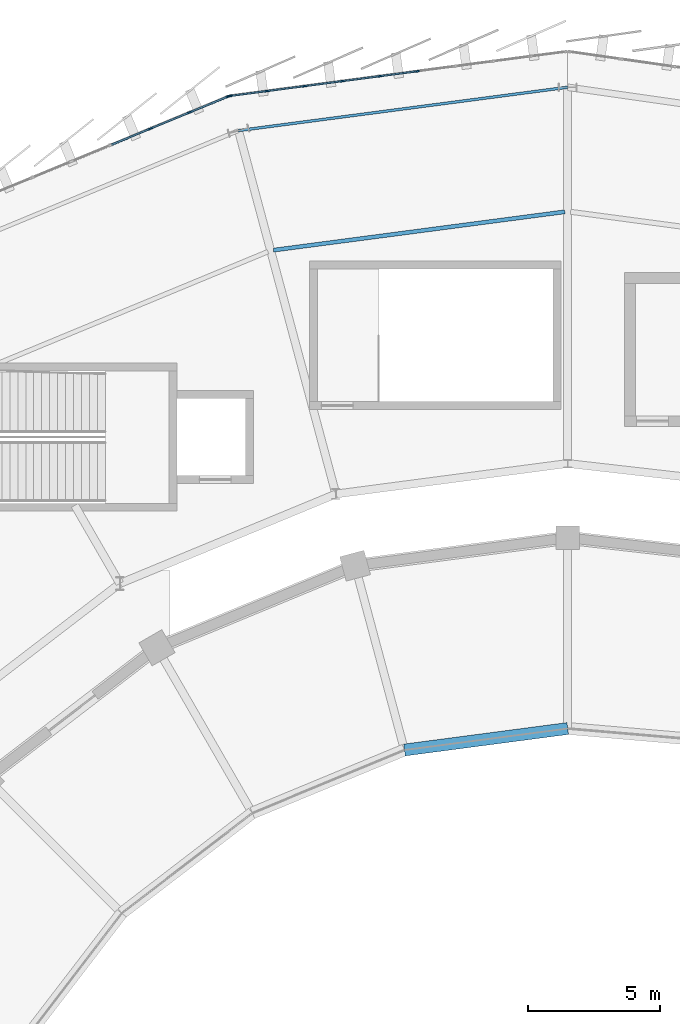
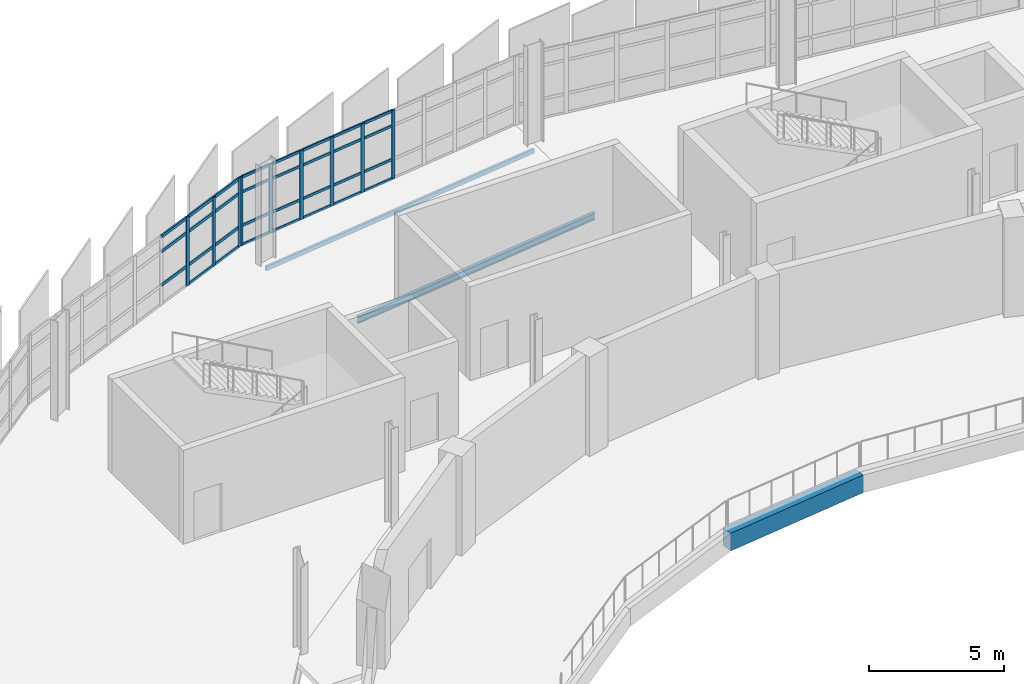
# One storey, part 32 of 87: 40 members, 3 beams, 2 elements without a shape of their own.
"""IFC4 building model written with IfcOpenShell, lengths in metres."""

from ifc_helpers import new_model, si_unit, direction, frame, origin, origin_2d, place, context, subcontext, project, spatial, rectangle, hollow_rectangle, i_section, extrude, material, layer, layer_set, material_profile, profile_set, type_object, element, aggregate, save


model = new_model("IFC4")

# Units and contexts
model_context = context("Model", 3, precision=1e-05, world=origin(), true_north=direction((0.0, 1.0)))
body_context = subcontext(model_context, "Body", "Model", "MODEL_VIEW")
ifc_project = project(units=[si_unit("LENGTHUNIT", "METRE"), si_unit("AREAUNIT", "SQUARE_METRE"), si_unit("VOLUMEUNIT", "CUBIC_METRE"), si_unit("PLANEANGLEUNIT", "RADIAN"), si_unit("MASSUNIT", "GRAM", prefix="KILO")], contexts=[model_context])

# Site, building, storey
site_placement = place(None, origin())
site = spatial("IfcSite", under=ifc_project, at=site_placement, CompositionType="ELEMENT")
building_placement = place(site_placement, origin())
building = spatial("IfcBuilding", under=site, at=building_placement, Name="Sohan Crest Arena", CompositionType="ELEMENT")
storey_placement = place(building_placement, frame((0.0, 0.0, 18.0)))
storey = spatial("IfcBuildingStorey", under=building, at=storey_placement, Name="L04", CompositionType="ELEMENT", Elevation=18.0)

# Curtain wall, members
ifc_material_1 = material(Name="Thermally broken anodised aluminium", Category="aluminium")
ifc_layer_1 = layer(ifc_material_1, 0.179931640625, Name="Thermally broken anodised aluminium")
ifc_layer_set_1 = layer_set([ifc_layer_1], Name="Thermally broken anodised aluminium")
curtain_wall_type_1 = type_object("IfcCurtainWallType", Name="ARC-CW01", PredefinedType="NOTDEFINED", material=ifc_layer_set_1)
curtain_wall_1_placement = place(storey_placement, origin())
curtain_wall_1 = element("IfcCurtainWall", 1, at=curtain_wall_1_placement, inside=storey, type_object=curtain_wall_type_1, Name="Unitised curtain wall CW-112", PredefinedType="NOTDEFINED")
ifc_material_profile_1 = material_profile(ifc_material_1, rectangle(XDim=0.06005859375, YDim=0.159912109375, at=origin_2d()), Name="ALU-MULL 60x160")
ifc_profile_set_1 = profile_set([ifc_material_profile_1], Name="Thermally broken anodised aluminium")
member_type_1 = type_object("IfcMemberType", Name="ARC-CW-ML01", PredefinedType="MULLION", material=ifc_profile_set_1)
member_1_placement = place(storey_placement, frame((92.322998046875, 126.6025390625, 0.0), z_axis=(0.0, 0.0, 1.0), x_axis=(0.130556913275, -0.991440816386, 0.0)))
member_1 = element("IfcMember", 2, at=member_1_placement, type_object=member_type_1, Name="CW-112 mullion 5", PredefinedType="MULLION", context=body_context, shape_type="SweptSolid", body=[
    extrude(rectangle(XDim=0.06005859375, YDim=0.159912109375, at=origin_2d()), origin(), (0.0, 0.0, 1.0), 3.1201171875),
])
member_2_placement = place(storey_placement, frame((90.90380859375, 126.41552734375, 0.0), z_axis=(0.0, 0.0, 1.0), x_axis=(0.130556913275, -0.991440816386, 0.0)))
member_2 = element("IfcMember", 3, at=member_2_placement, type_object=member_type_1, Name="CW-112 mullion 6", PredefinedType="MULLION", context=body_context, shape_type="SweptSolid", body=[
    extrude(rectangle(XDim=0.06005859375, YDim=0.159912109375, at=origin_2d()), origin(), (0.0, 0.0, 1.0), 3.1201171875),
])
member_3_placement = place(storey_placement, frame((89.484619140625, 126.228759765625, 0.0), z_axis=(0.0, 0.0, 1.0), x_axis=(0.130556913275, -0.991440816386, 0.0)))
member_3 = element("IfcMember", 4, at=member_3_placement, type_object=member_type_1, Name="CW-112 mullion 7", PredefinedType="MULLION", context=body_context, shape_type="SweptSolid", body=[
    extrude(rectangle(XDim=0.06005859375, YDim=0.159912109375, at=origin_2d()), origin(), (0.0, 0.0, 1.0), 3.1201171875),
])
member_4_placement = place(storey_placement, frame((88.0654296875, 126.041748046875, 0.0), z_axis=(0.0, 0.0, 1.0), x_axis=(0.130556913275, -0.991440816386, 0.0)))
member_4 = element("IfcMember", 5, at=member_4_placement, type_object=member_type_1, Name="CW-112 mullion 8", PredefinedType="MULLION", context=body_context, shape_type="SweptSolid", body=[
    extrude(rectangle(XDim=0.06005859375, YDim=0.159912109375, at=origin_2d()), origin(), (0.0, 0.0, 1.0), 3.1201171875),
])
member_5_placement = place(storey_placement, frame((86.646240234375, 125.85498046875, 0.0), z_axis=(0.0, 0.0, 1.0), x_axis=(0.130556913275, -0.991440816386, 0.0)))
member_5 = element("IfcMember", 6, at=member_5_placement, type_object=member_type_1, Name="CW-112 mullion 9", PredefinedType="MULLION", context=body_context, shape_type="SweptSolid", body=[
    extrude(rectangle(XDim=0.06005859375, YDim=0.159912109375, at=origin_2d()), origin(), (0.0, 0.0, 1.0), 3.1201171875),
])
member_6_placement = place(storey_placement, frame((85.2568359375, 125.671875, 0.0), z_axis=(0.0, 0.0, 1.0), x_axis=(0.130556913275, -0.991440816386, 0.0)))
member_6 = element("IfcMember", 7, at=member_6_placement, type_object=member_type_1, Name="CW-112 mullion 10", PredefinedType="MULLION", context=body_context, shape_type="SweptSolid", body=[
    extrude(rectangle(XDim=0.06005859375, YDim=0.159912109375, at=origin_2d()), origin(), (0.0, 0.0, 1.0), 3.1201171875),
])

ifc_layer_2 = layer(ifc_material_1, 0.199951171875, Name="Thermally broken anodised aluminium")
ifc_layer_set_2 = layer_set([ifc_layer_2], Name="Thermally broken anodised aluminium")
curtain_wall_type_2 = type_object("IfcCurtainWallType", Name="ARC-CW02", PredefinedType="NOTDEFINED", material=ifc_layer_set_2)
curtain_wall_2_placement = place(storey_placement, origin())
curtain_wall_2 = element("IfcCurtainWall", 8, at=curtain_wall_2_placement, inside=storey, type_object=curtain_wall_type_2, Name="Unitised curtain wall CW-113", PredefinedType="NOTDEFINED")
ifc_material_profile_2 = material_profile(ifc_material_1, rectangle(XDim=0.06494140625, YDim=0.179931640625, at=origin_2d()), Name="ALU-MULL 65x180")
ifc_profile_set_2 = profile_set([ifc_material_profile_2], Name="Thermally broken anodised aluminium")
member_type_2 = type_object("IfcMemberType", Name="ARC-CW-ML02", PredefinedType="MULLION", material=ifc_profile_set_2)
member_7_placement = place(storey_placement, frame((85.197021484375, 125.655517578125, 0.0), z_axis=(0.0, 0.0, 1.0), x_axis=(0.382685432009, -0.923878704229, 0.0)))
member_7 = element("IfcMember", 9, at=member_7_placement, type_object=member_type_2, Name="CW-113 mullion 1", PredefinedType="MULLION", context=body_context, shape_type="SweptSolid", body=[
    extrude(rectangle(XDim=0.06494140625, YDim=0.179931640625, at=origin_2d()), origin(), (0.0, 0.0, 1.0), 3.1201171875),
])
member_8_placement = place(storey_placement, frame((83.7392578125, 125.0517578125, 0.0), z_axis=(0.0, 0.0, 1.0), x_axis=(0.382685432009, -0.923878704229, 0.0)))
member_8 = element("IfcMember", 10, at=member_8_placement, type_object=member_type_2, Name="CW-113 mullion 2", PredefinedType="MULLION", context=body_context, shape_type="SweptSolid", body=[
    extrude(rectangle(XDim=0.06494140625, YDim=0.179931640625, at=origin_2d()), origin(), (0.0, 0.0, 1.0), 3.1201171875),
])
member_9_placement = place(storey_placement, frame((82.25146484375, 124.435546875, 0.0), z_axis=(0.0, 0.0, 1.0), x_axis=(0.382685432009, -0.923878704229, 0.0)))
member_9 = element("IfcMember", 11, at=member_9_placement, type_object=member_type_2, Name="CW-113 mullion 3", PredefinedType="MULLION", context=body_context, shape_type="SweptSolid", body=[
    extrude(rectangle(XDim=0.06494140625, YDim=0.179931640625, at=origin_2d()), origin(), (0.0, 0.0, 1.0), 3.1201171875),
])

# Member
ifc_material_profile_3 = material_profile(ifc_material_1, rectangle(XDim=0.06005859375, YDim=0.1201171875, at=origin_2d()), Name="ALU-TRAN 60x120")
ifc_profile_set_3 = profile_set([ifc_material_profile_3], Name="Thermally broken anodised aluminium")
member_type_3 = type_object("IfcMemberType", Name="ARC-CW-TR01", PredefinedType="USERDEFINED", material=ifc_profile_set_3)
member_10_placement = place(storey_placement, frame((92.29345703125, 126.5986328125, 0.030029296875), z_axis=(-0.991428831601, -0.13064789271, 0.0), x_axis=(0.13064789271, -0.991428831601, 0.0)))
member_10 = element("IfcMember", 12, at=member_10_placement, type_object=member_type_3, Name="CW-112 transom 5.1", ObjectType="TRANSOM", PredefinedType="USERDEFINED", context=body_context, shape_type="SweptSolid", body=[
    extrude(rectangle(XDim=0.06005859375, YDim=0.1201171875, at=origin_2d()), origin(), (0.0, 0.0, 1.0), 1.37158203125),
])

member_11_placement = place(storey_placement, frame((92.29345703125, 126.5986328125, 0.89990234375), z_axis=(-0.991428831601, -0.13064789271, 0.0), x_axis=(0.13064789271, -0.991428831601, 0.0)))
member_11 = element("IfcMember", 13, at=member_11_placement, type_object=member_type_3, Name="CW-112 transom 5.2", ObjectType="TRANSOM", PredefinedType="USERDEFINED", context=body_context, shape_type="SweptSolid", body=[
    extrude(rectangle(XDim=0.06005859375, YDim=0.1201171875, at=origin_2d()), origin(), (0.0, 0.0, 1.0), 1.37158203125),
])

member_12_placement = place(storey_placement, frame((92.29345703125, 126.5986328125, 2.419921875), z_axis=(-0.991428831601, -0.13064789271, 0.0), x_axis=(0.13064789271, -0.991428831601, 0.0)))
member_12 = element("IfcMember", 14, at=member_12_placement, type_object=member_type_3, Name="CW-112 transom 5.3", ObjectType="TRANSOM", PredefinedType="USERDEFINED", context=body_context, shape_type="SweptSolid", body=[
    extrude(rectangle(XDim=0.06005859375, YDim=0.1201171875, at=origin_2d()), origin(), (0.0, 0.0, 1.0), 1.37158203125),
])

member_13_placement = place(storey_placement, frame((92.29345703125, 126.5986328125, 3.090087890625), z_axis=(-0.991428831601, -0.13064789271, 0.0), x_axis=(0.13064789271, -0.991428831601, 0.0)))
member_13 = element("IfcMember", 15, at=member_13_placement, type_object=member_type_3, Name="CW-112 transom 5.4", ObjectType="TRANSOM", PredefinedType="USERDEFINED", context=body_context, shape_type="SweptSolid", body=[
    extrude(rectangle(XDim=0.06005859375, YDim=0.1201171875, at=origin_2d()), origin(), (0.0, 0.0, 1.0), 1.37158203125),
])

member_14_placement = place(storey_placement, frame((90.874267578125, 126.41162109375, 0.030029296875), z_axis=(-0.991451871974, -0.130472930369, 0.0), x_axis=(0.130472930369, -0.991451871974, 0.0)))
member_14 = element("IfcMember", 16, at=member_14_placement, type_object=member_type_3, Name="CW-112 transom 6.1", ObjectType="TRANSOM", PredefinedType="USERDEFINED", context=body_context, shape_type="SweptSolid", body=[
    extrude(rectangle(XDim=0.06005859375, YDim=0.1201171875, at=origin_2d()), origin(), (0.0, 0.0, 1.0), 1.37158203125),
])

member_15_placement = place(storey_placement, frame((90.874267578125, 126.41162109375, 0.89990234375), z_axis=(-0.991451871974, -0.130472930369, 0.0), x_axis=(0.130472930369, -0.991451871974, 0.0)))
member_15 = element("IfcMember", 17, at=member_15_placement, type_object=member_type_3, Name="CW-112 transom 6.2", ObjectType="TRANSOM", PredefinedType="USERDEFINED", context=body_context, shape_type="SweptSolid", body=[
    extrude(rectangle(XDim=0.06005859375, YDim=0.1201171875, at=origin_2d()), origin(), (0.0, 0.0, 1.0), 1.37158203125),
])

member_16_placement = place(storey_placement, frame((90.874267578125, 126.41162109375, 2.419921875), z_axis=(-0.991451871974, -0.130472930369, 0.0), x_axis=(0.130472930369, -0.991451871974, 0.0)))
member_16 = element("IfcMember", 18, at=member_16_placement, type_object=member_type_3, Name="CW-112 transom 6.3", ObjectType="TRANSOM", PredefinedType="USERDEFINED", context=body_context, shape_type="SweptSolid", body=[
    extrude(rectangle(XDim=0.06005859375, YDim=0.1201171875, at=origin_2d()), origin(), (0.0, 0.0, 1.0), 1.37158203125),
])

member_17_placement = place(storey_placement, frame((90.874267578125, 126.41162109375, 3.090087890625), z_axis=(-0.991451871974, -0.130472930369, 0.0), x_axis=(0.130472930369, -0.991451871974, 0.0)))
member_17 = element("IfcMember", 19, at=member_17_placement, type_object=member_type_3, Name="CW-112 transom 6.4", ObjectType="TRANSOM", PredefinedType="USERDEFINED", context=body_context, shape_type="SweptSolid", body=[
    extrude(rectangle(XDim=0.06005859375, YDim=0.1201171875, at=origin_2d()), origin(), (0.0, 0.0, 1.0), 1.37158203125),
])

member_18_placement = place(storey_placement, frame((89.454833984375, 126.224853515625, 0.030029296875), z_axis=(-0.991425792633, -0.130670952019, 0.0), x_axis=(0.130670952019, -0.991425792633, 0.0)))
member_18 = element("IfcMember", 20, at=member_18_placement, type_object=member_type_3, Name="CW-112 transom 7.1", ObjectType="TRANSOM", PredefinedType="USERDEFINED", context=body_context, shape_type="SweptSolid", body=[
    extrude(rectangle(XDim=0.06005859375, YDim=0.1201171875, at=origin_2d()), origin(), (0.0, 0.0, 1.0), 1.371337890625),
])

member_19_placement = place(storey_placement, frame((89.454833984375, 126.224853515625, 0.89990234375), z_axis=(-0.991425792633, -0.130670952019, 0.0), x_axis=(0.130670952019, -0.991425792633, 0.0)))
member_19 = element("IfcMember", 21, at=member_19_placement, type_object=member_type_3, Name="CW-112 transom 7.2", ObjectType="TRANSOM", PredefinedType="USERDEFINED", context=body_context, shape_type="SweptSolid", body=[
    extrude(rectangle(XDim=0.06005859375, YDim=0.1201171875, at=origin_2d()), origin(), (0.0, 0.0, 1.0), 1.371337890625),
])

member_20_placement = place(storey_placement, frame((89.454833984375, 126.224853515625, 2.419921875), z_axis=(-0.991425792633, -0.130670952019, 0.0), x_axis=(0.130670952019, -0.991425792633, 0.0)))
member_20 = element("IfcMember", 22, at=member_20_placement, type_object=member_type_3, Name="CW-112 transom 7.3", ObjectType="TRANSOM", PredefinedType="USERDEFINED", context=body_context, shape_type="SweptSolid", body=[
    extrude(rectangle(XDim=0.06005859375, YDim=0.1201171875, at=origin_2d()), origin(), (0.0, 0.0, 1.0), 1.371337890625),
])

member_21_placement = place(storey_placement, frame((89.454833984375, 126.224853515625, 3.090087890625), z_axis=(-0.991425792633, -0.130670952019, 0.0), x_axis=(0.130670952019, -0.991425792633, 0.0)))
member_21 = element("IfcMember", 23, at=member_21_placement, type_object=member_type_3, Name="CW-112 transom 7.4", ObjectType="TRANSOM", PredefinedType="USERDEFINED", context=body_context, shape_type="SweptSolid", body=[
    extrude(rectangle(XDim=0.06005859375, YDim=0.1201171875, at=origin_2d()), origin(), (0.0, 0.0, 1.0), 1.371337890625),
])

member_22_placement = place(storey_placement, frame((88.03564453125, 126.037841796875, 0.030029296875), z_axis=(-0.99144884107, -0.130495959868, 0.0), x_axis=(0.130495959868, -0.99144884107, 0.0)))
member_22 = element("IfcMember", 24, at=member_22_placement, type_object=member_type_3, Name="CW-112 transom 8.1", ObjectType="TRANSOM", PredefinedType="USERDEFINED", context=body_context, shape_type="SweptSolid", body=[
    extrude(rectangle(XDim=0.06005859375, YDim=0.1201171875, at=origin_2d()), origin(), (0.0, 0.0, 1.0), 1.371337890625),
])

member_23_placement = place(storey_placement, frame((88.03564453125, 126.037841796875, 0.89990234375), z_axis=(-0.99144884107, -0.130495959868, 0.0), x_axis=(0.130495959868, -0.99144884107, 0.0)))
member_23 = element("IfcMember", 25, at=member_23_placement, type_object=member_type_3, Name="CW-112 transom 8.2", ObjectType="TRANSOM", PredefinedType="USERDEFINED", context=body_context, shape_type="SweptSolid", body=[
    extrude(rectangle(XDim=0.06005859375, YDim=0.1201171875, at=origin_2d()), origin(), (0.0, 0.0, 1.0), 1.371337890625),
])

member_24_placement = place(storey_placement, frame((88.03564453125, 126.037841796875, 2.419921875), z_axis=(-0.99144884107, -0.130495959868, 0.0), x_axis=(0.130495959868, -0.99144884107, 0.0)))
member_24 = element("IfcMember", 26, at=member_24_placement, type_object=member_type_3, Name="CW-112 transom 8.3", ObjectType="TRANSOM", PredefinedType="USERDEFINED", context=body_context, shape_type="SweptSolid", body=[
    extrude(rectangle(XDim=0.06005859375, YDim=0.1201171875, at=origin_2d()), origin(), (0.0, 0.0, 1.0), 1.371337890625),
])

member_25_placement = place(storey_placement, frame((88.03564453125, 126.037841796875, 3.090087890625), z_axis=(-0.99144884107, -0.130495959868, 0.0), x_axis=(0.130495959868, -0.99144884107, 0.0)))
member_25 = element("IfcMember", 27, at=member_25_placement, type_object=member_type_3, Name="CW-112 transom 8.4", ObjectType="TRANSOM", PredefinedType="USERDEFINED", context=body_context, shape_type="SweptSolid", body=[
    extrude(rectangle(XDim=0.06005859375, YDim=0.1201171875, at=origin_2d()), origin(), (0.0, 0.0, 1.0), 1.371337890625),
])

member_26_placement = place(storey_placement, frame((86.616455078125, 125.85107421875, 0.030029296875), z_axis=(-0.991427020265, -0.130661637399, 0.0), x_axis=(0.130661637399, -0.991427020265, 0.0)))
member_26 = element("IfcMember", 28, at=member_26_placement, type_object=member_type_3, Name="CW-112 transom 9.1", ObjectType="TRANSOM", PredefinedType="USERDEFINED", context=body_context, shape_type="SweptSolid", body=[
    extrude(rectangle(XDim=0.06005859375, YDim=0.1201171875, at=origin_2d()), origin(), (0.0, 0.0, 1.0), 1.341552734375),
])

member_27_placement = place(storey_placement, frame((86.616455078125, 125.85107421875, 0.89990234375), z_axis=(-0.991427020265, -0.130661637399, 0.0), x_axis=(0.130661637399, -0.991427020265, 0.0)))
member_27 = element("IfcMember", 29, at=member_27_placement, type_object=member_type_3, Name="CW-112 transom 9.2", ObjectType="TRANSOM", PredefinedType="USERDEFINED", context=body_context, shape_type="SweptSolid", body=[
    extrude(rectangle(XDim=0.06005859375, YDim=0.1201171875, at=origin_2d()), origin(), (0.0, 0.0, 1.0), 1.341552734375),
])

member_28_placement = place(storey_placement, frame((86.616455078125, 125.85107421875, 2.419921875), z_axis=(-0.991427020265, -0.130661637399, 0.0), x_axis=(0.130661637399, -0.991427020265, 0.0)))
member_28 = element("IfcMember", 30, at=member_28_placement, type_object=member_type_3, Name="CW-112 transom 9.3", ObjectType="TRANSOM", PredefinedType="USERDEFINED", context=body_context, shape_type="SweptSolid", body=[
    extrude(rectangle(XDim=0.06005859375, YDim=0.1201171875, at=origin_2d()), origin(), (0.0, 0.0, 1.0), 1.341552734375),
])

member_29_placement = place(storey_placement, frame((86.616455078125, 125.85107421875, 3.090087890625), z_axis=(-0.991427020265, -0.130661637399, 0.0), x_axis=(0.130661637399, -0.991427020265, 0.0)))
member_29 = element("IfcMember", 31, at=member_29_placement, type_object=member_type_3, Name="CW-112 transom 9.4", ObjectType="TRANSOM", PredefinedType="USERDEFINED", context=body_context, shape_type="SweptSolid", body=[
    extrude(rectangle(XDim=0.06005859375, YDim=0.1201171875, at=origin_2d()), origin(), (0.0, 0.0, 1.0), 1.341552734375),
])

aggregate(curtain_wall_1, [member_1, member_2, member_3, member_4, member_5, member_6, member_10, member_11, member_12, member_13, member_14, member_15, member_16, member_17, member_18, member_19, member_20, member_21, member_22, member_23, member_24, member_25, member_26, member_27, member_28, member_29])

ifc_material_profile_4 = material_profile(ifc_material_1, rectangle(XDim=0.06494140625, YDim=0.139892578125, at=origin_2d()), Name="ALU-TRAN 65x140")
ifc_profile_set_4 = profile_set([ifc_material_profile_4], Name="Thermally broken anodised aluminium")
member_type_4 = type_object("IfcMemberType", Name="ARC-CW-TR02", PredefinedType="USERDEFINED", material=ifc_profile_set_4)
member_30_placement = place(storey_placement, frame((85.1669921875, 125.64306640625, 0.032470703125), z_axis=(-0.923900792868, -0.382632101291, 0.0), x_axis=(0.382632101291, -0.923900792868, 0.0)))
member_30 = element("IfcMember", 32, at=member_30_placement, type_object=member_type_4, Name="CW-113 transom 1.1", ObjectType="TRANSOM", PredefinedType="USERDEFINED", context=body_context, shape_type="SweptSolid", body=[
    extrude(rectangle(XDim=0.06494140625, YDim=0.139892578125, at=origin_2d()), origin(), (0.0, 0.0, 1.0), 1.512939453125),
])

member_31_placement = place(storey_placement, frame((85.1669921875, 125.64306640625, 0.89990234375), z_axis=(-0.923900792868, -0.382632101291, 0.0), x_axis=(0.382632101291, -0.923900792868, 0.0)))
member_31 = element("IfcMember", 33, at=member_31_placement, type_object=member_type_4, Name="CW-113 transom 1.2", ObjectType="TRANSOM", PredefinedType="USERDEFINED", context=body_context, shape_type="SweptSolid", body=[
    extrude(rectangle(XDim=0.06494140625, YDim=0.139892578125, at=origin_2d()), origin(), (0.0, 0.0, 1.0), 1.512939453125),
])

member_32_placement = place(storey_placement, frame((85.1669921875, 125.64306640625, 2.419921875), z_axis=(-0.923900792868, -0.382632101291, 0.0), x_axis=(0.382632101291, -0.923900792868, 0.0)))
member_32 = element("IfcMember", 34, at=member_32_placement, type_object=member_type_4, Name="CW-113 transom 1.3", ObjectType="TRANSOM", PredefinedType="USERDEFINED", context=body_context, shape_type="SweptSolid", body=[
    extrude(rectangle(XDim=0.06494140625, YDim=0.139892578125, at=origin_2d()), origin(), (0.0, 0.0, 1.0), 1.512939453125),
])

member_33_placement = place(storey_placement, frame((85.1669921875, 125.64306640625, 3.08740234375), z_axis=(-0.923900792868, -0.382632101291, 0.0), x_axis=(0.382632101291, -0.923900792868, 0.0)))
member_33 = element("IfcMember", 35, at=member_33_placement, type_object=member_type_4, Name="CW-113 transom 1.4", ObjectType="TRANSOM", PredefinedType="USERDEFINED", context=body_context, shape_type="SweptSolid", body=[
    extrude(rectangle(XDim=0.06494140625, YDim=0.139892578125, at=origin_2d()), origin(), (0.0, 0.0, 1.0), 1.512939453125),
])

member_34_placement = place(storey_placement, frame((83.709228515625, 125.039306640625, 0.032470703125), z_axis=(-0.923897456466, -0.382640157244, 0.0), x_axis=(0.382640157244, -0.923897456466, 0.0)))
member_34 = element("IfcMember", 36, at=member_34_placement, type_object=member_type_4, Name="CW-113 transom 2.1", ObjectType="TRANSOM", PredefinedType="USERDEFINED", context=body_context, shape_type="SweptSolid", body=[
    extrude(rectangle(XDim=0.06494140625, YDim=0.139892578125, at=origin_2d()), origin(), (0.0, 0.0, 1.0), 1.54541015625),
])

member_35_placement = place(storey_placement, frame((83.709228515625, 125.039306640625, 0.89990234375), z_axis=(-0.923897456466, -0.382640157244, 0.0), x_axis=(0.382640157244, -0.923897456466, 0.0)))
member_35 = element("IfcMember", 37, at=member_35_placement, type_object=member_type_4, Name="CW-113 transom 2.2", ObjectType="TRANSOM", PredefinedType="USERDEFINED", context=body_context, shape_type="SweptSolid", body=[
    extrude(rectangle(XDim=0.06494140625, YDim=0.139892578125, at=origin_2d()), origin(), (0.0, 0.0, 1.0), 1.54541015625),
])

member_36_placement = place(storey_placement, frame((83.709228515625, 125.039306640625, 2.419921875), z_axis=(-0.923897456466, -0.382640157244, 0.0), x_axis=(0.382640157244, -0.923897456466, 0.0)))
member_36 = element("IfcMember", 38, at=member_36_placement, type_object=member_type_4, Name="CW-113 transom 2.3", ObjectType="TRANSOM", PredefinedType="USERDEFINED", context=body_context, shape_type="SweptSolid", body=[
    extrude(rectangle(XDim=0.06494140625, YDim=0.139892578125, at=origin_2d()), origin(), (0.0, 0.0, 1.0), 1.54541015625),
])

member_37_placement = place(storey_placement, frame((83.709228515625, 125.039306640625, 3.08740234375), z_axis=(-0.923897456466, -0.382640157244, 0.0), x_axis=(0.382640157244, -0.923897456466, 0.0)))
member_37 = element("IfcMember", 39, at=member_37_placement, type_object=member_type_4, Name="CW-113 transom 2.4", ObjectType="TRANSOM", PredefinedType="USERDEFINED", context=body_context, shape_type="SweptSolid", body=[
    extrude(rectangle(XDim=0.06494140625, YDim=0.139892578125, at=origin_2d()), origin(), (0.0, 0.0, 1.0), 1.54541015625),
])

member_38_placement = place(storey_placement, frame((82.221435546875, 124.423095703125, 0.89990234375), z_axis=(-0.923897456466, -0.382640157244, 0.0), x_axis=(0.382640157244, -0.923897456466, 0.0)))
member_38 = element("IfcMember", 40, at=member_38_placement, type_object=member_type_4, Name="CW-113 transom 3.2", ObjectType="TRANSOM", PredefinedType="USERDEFINED", context=body_context, shape_type="SweptSolid", body=[
    extrude(rectangle(XDim=0.06494140625, YDim=0.139892578125, at=origin_2d()), origin(), (0.0, 0.0, 1.0), 1.54541015625),
])

member_39_placement = place(storey_placement, frame((82.221435546875, 124.423095703125, 2.419921875), z_axis=(-0.923897456466, -0.382640157244, 0.0), x_axis=(0.382640157244, -0.923897456466, 0.0)))
member_39 = element("IfcMember", 41, at=member_39_placement, type_object=member_type_4, Name="CW-113 transom 3.3", ObjectType="TRANSOM", PredefinedType="USERDEFINED", context=body_context, shape_type="SweptSolid", body=[
    extrude(rectangle(XDim=0.06494140625, YDim=0.139892578125, at=origin_2d()), origin(), (0.0, 0.0, 1.0), 1.54541015625),
])

member_40_placement = place(storey_placement, frame((82.221435546875, 124.423095703125, 3.08740234375), z_axis=(-0.923897456466, -0.382640157244, 0.0), x_axis=(0.382640157244, -0.923897456466, 0.0)))
member_40 = element("IfcMember", 42, at=member_40_placement, type_object=member_type_4, Name="CW-113 transom 3.4", ObjectType="TRANSOM", PredefinedType="USERDEFINED", context=body_context, shape_type="SweptSolid", body=[
    extrude(rectangle(XDim=0.06494140625, YDim=0.139892578125, at=origin_2d()), origin(), (0.0, 0.0, 1.0), 1.54541015625),
])

aggregate(curtain_wall_2, [member_7, member_8, member_9, member_30, member_31, member_32, member_33, member_34, member_35, member_36, member_37, member_38, member_39, member_40])

# Beams
ifc_material_2 = material(Name="Steel S355", Category="steel")
ifc_material_profile_5 = material_profile(ifc_material_2, i_section(OverallWidth=0.14990234375, OverallDepth=0.300048828125, WebThickness=0.007080078125, FlangeThickness=0.0107421875, at=origin_2d()), Name="IPE 300")
ifc_profile_set_5 = profile_set([ifc_material_profile_5], Name="Steel S355")
beam_type_1 = type_object("IfcBeamType", Name="STR-BM-B01", PredefinedType="JOIST", material=ifc_profile_set_5)
beam_1_placement = place(storey_placement, frame((97.89111328125, 121.300048828125, -0.39990234375), z_axis=(-0.991434947697, -0.130601471988, 0.0), x_axis=(0.130601471988, -0.991434947697, 0.0)))
element("IfcBeam", 43, at=beam_1_placement, inside=storey, type_object=beam_type_1, Name="Structural beam J-L04-1556", PredefinedType="JOIST", context=body_context, shape_type="SweptSolid", body=[
    extrude(i_section(OverallWidth=0.14990234375, OverallDepth=0.300048828125, WebThickness=0.007080078125, FlangeThickness=0.0107421875, at=origin_2d()), origin(), (0.0, 0.0, 1.0), 11.087158203125),
])
ifc_material_profile_6 = material_profile(ifc_material_2, hollow_rectangle(XDim=0.10009765625, YDim=0.199951171875, WallThickness=0.008056640625, at=origin_2d()), Name="RHS 200x100x8")
ifc_profile_set_6 = profile_set([ifc_material_profile_6], Name="Steel S355")
beam_type_2 = type_object("IfcBeamType", Name="STR-BM-SP01", PredefinedType="SPANDREL", material=ifc_profile_set_6)
beam_2_placement = place(storey_placement, frame((98.0, 126.0, -0.35009765625), z_axis=(-0.991440164207, -0.130561865783, 0.0), x_axis=(0.130561865783, -0.991440164207, 0.0)))
element("IfcBeam", 44, at=beam_2_placement, inside=storey, type_object=beam_type_2, Name="Structural beam SP-L04-1555", PredefinedType="SPANDREL", context=body_context, shape_type="SweptSolid", body=[
    extrude(hollow_rectangle(XDim=0.10009765625, YDim=0.199951171875, WallThickness=0.008056640625, at=origin_2d()), origin(), (0.0, 0.0, 1.0), 12.5302734375),
])
ifc_material_3 = material(Name="Concrete C40/50", Category="concrete")
ifc_material_profile_7 = material_profile(ifc_material_3, rectangle(XDim=0.449951171875, YDim=0.800048828125, at=origin_2d()), Name="RC-BM 450x800")
ifc_profile_set_7 = profile_set([ifc_material_profile_7], Name="Concrete C40/50")
beam_type_3 = type_object("IfcBeamType", Name="STR-BM-TB02", PredefinedType="BEAM", material=ifc_profile_set_7)
beam_3_placement = place(storey_placement, frame((98.0, 101.800048828125, -0.64990234375), z_axis=(-0.991443458676, -0.130536846329, 0.0), x_axis=(0.130536846329, -0.991443458676, 0.0)))
element("IfcBeam", 45, at=beam_3_placement, inside=storey, type_object=beam_type_3, Name="Structural beam TB-L04-0076", PredefinedType="BEAM", context=body_context, shape_type="SweptSolid", body=[
    extrude(rectangle(XDim=0.449951171875, YDim=0.800048828125, at=origin_2d()), origin(), (0.0, 0.0, 1.0), 6.213134765625),
])

save(model, "model.ifc")
